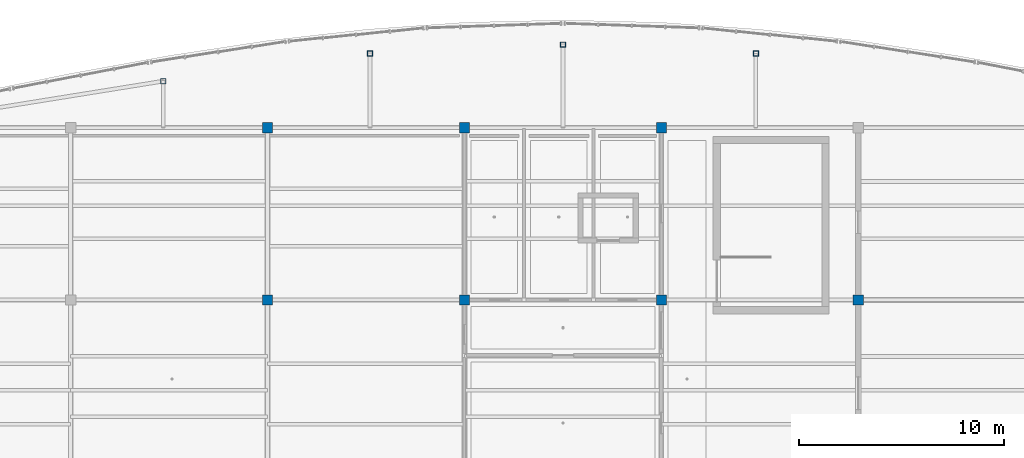
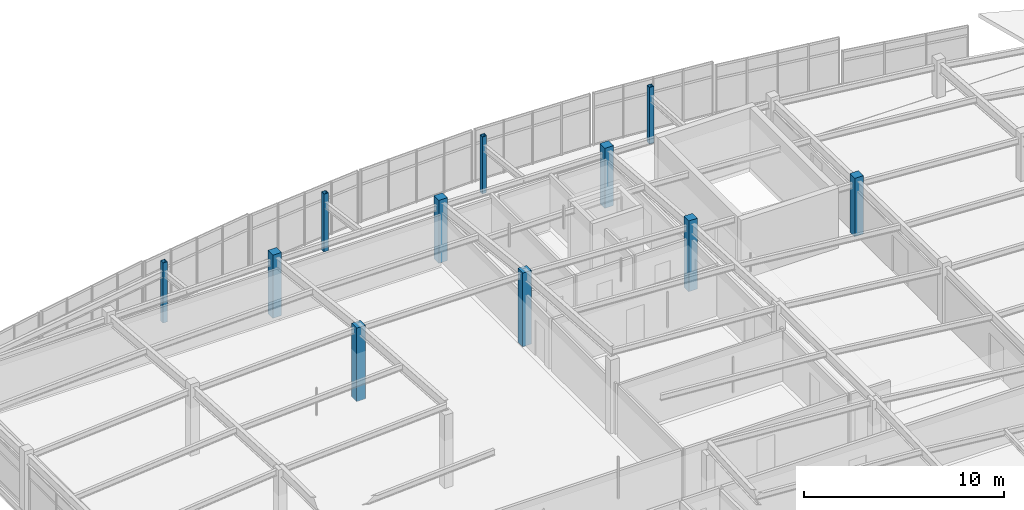
# One storey, part 8 of 65: 11 columns.
"""IFC4 building model written with IfcOpenShell, lengths in metres."""

from ifc_helpers import new_model, si_unit, direction, frame, origin, origin_2d, place, context, subcontext, project, spatial, rectangle, hollow_rectangle, extrude, material, material_profile, profile_set, type_object, element, save


model = new_model("IFC4")

# Units and contexts
model_context = context("Model", 3, precision=1e-05, world=origin(), true_north=direction((0.0, 1.0)))
body_context = subcontext(model_context, "Body", "Model", "MODEL_VIEW")
ifc_project = project(units=[si_unit("LENGTHUNIT", "METRE"), si_unit("AREAUNIT", "SQUARE_METRE"), si_unit("VOLUMEUNIT", "CUBIC_METRE"), si_unit("PLANEANGLEUNIT", "RADIAN"), si_unit("MASSUNIT", "GRAM", prefix="KILO")], contexts=[model_context])

# Site, building, storey
site_placement = place(None, origin())
site = spatial("IfcSite", under=ifc_project, at=site_placement, CompositionType="ELEMENT")
building_placement = place(site_placement, origin())
building = spatial("IfcBuilding", under=site, at=building_placement, Name="Chalmorin Arch Market", CompositionType="ELEMENT")
storey_placement = place(building_placement, frame((0.0, 0.0, 14.10009765625)))
storey = spatial("IfcBuildingStorey", under=building, at=storey_placement, Name="L03", CompositionType="ELEMENT", Elevation=14.10009765625)

# Columns
ifc_material_1 = material(Name="Steel A500 Grade C", Category="steel")
ifc_material_profile_1 = material_profile(ifc_material_1, hollow_rectangle(XDim=0.25390625, YDim=0.25390625, WallThickness=0.01171875, at=origin_2d()), Name="HSS10X10X1/2")
ifc_profile_set_1 = profile_set([ifc_material_profile_1], Name="Steel A500 Grade C")
column_type_1 = type_object("IfcColumnType", Name="SteelTubeColumn-HSS10X10", PredefinedType="COLUMN", material=ifc_profile_set_1)
column_1_placement = place(storey_placement, frame((62.112060546875, 120.26904296875, 0.0), z_axis=(0.0, 0.0, 1.0), x_axis=(1.0, 0.0, 0.0)))
element("IfcColumn", 1, at=column_1_placement, inside=storey, type_object=column_type_1, Name="C-HS2-707", PredefinedType="COLUMN", context=body_context, shape_type="SweptSolid", body=[
    extrude(hollow_rectangle(XDim=0.25390625, YDim=0.25390625, WallThickness=0.01171875, at=origin_2d()), origin(), (0.0, 0.0, 1.0), 3.679931640625),
])
column_2_placement = place(storey_placement, frame((72.19189453125, 121.612060546875, 0.0), z_axis=(0.0, 0.0, 1.0), x_axis=(1.0, 0.0, 0.0)))
element("IfcColumn", 2, at=column_2_placement, inside=storey, type_object=column_type_1, Name="C-HS2-715", PredefinedType="COLUMN", context=body_context, shape_type="SweptSolid", body=[
    extrude(hollow_rectangle(XDim=0.25390625, YDim=0.25390625, WallThickness=0.01171875, at=origin_2d()), origin(), (0.0, 0.0, 1.0), 3.5419921875),
])
column_3_placement = place(storey_placement, frame((81.60009765625, 122.050048828125, 0.0), z_axis=(0.0, 0.0, 1.0), x_axis=(1.0, 0.0, 0.0)))
element("IfcColumn", 3, at=column_3_placement, inside=storey, type_object=column_type_1, Name="C-HS2-723", PredefinedType="COLUMN", context=body_context, shape_type="SweptSolid", body=[
    extrude(hollow_rectangle(XDim=0.25390625, YDim=0.25390625, WallThickness=0.01171875, at=origin_2d()), origin(), (0.0, 0.0, 1.0), 3.471923828125),
])
column_4_placement = place(storey_placement, frame((91.008056640625, 121.612060546875, 0.0), z_axis=(0.0, 0.0, 1.0), x_axis=(1.0, 0.0, 0.0)))
element("IfcColumn", 4, at=column_4_placement, inside=storey, type_object=column_type_1, Name="C-HS2-731", PredefinedType="COLUMN", context=body_context, shape_type="SweptSolid", body=[
    extrude(hollow_rectangle(XDim=0.25390625, YDim=0.25390625, WallThickness=0.01171875, at=origin_2d()), origin(), (0.0, 0.0, 1.0), 3.469970703125),
])
ifc_material_2 = material(Name="Concrete C40/50", Category="concrete")
ifc_material_profile_2 = material_profile(ifc_material_2, rectangle(XDim=0.5, YDim=0.5, at=origin_2d()), Name="RC500X500")
ifc_profile_set_2 = profile_set([ifc_material_profile_2], Name="Concrete C40/50")
column_type_2 = type_object("IfcColumnType", Name="UpperConcreteColumn-500x500", PredefinedType="COLUMN", material=ifc_profile_set_2)
column_5_placement = place(storey_placement, frame((67.199951171875, 109.60009765625, 0.0), z_axis=(0.0, 0.0, 1.0), x_axis=(1.0, 0.0, 0.0)))
element("IfcColumn", 5, at=column_5_placement, inside=storey, type_object=column_type_2, Name="C-RC3-359", PredefinedType="COLUMN", context=body_context, shape_type="SweptSolid", body=[
    extrude(rectangle(XDim=0.5, YDim=0.5, at=origin_2d()), origin(), (0.0, 0.0, 1.0), 4.5),
])
column_6_placement = place(storey_placement, frame((67.199951171875, 118.0, 0.0), z_axis=(0.0, 0.0, 1.0), x_axis=(1.0, 0.0, 0.0)))
element("IfcColumn", 6, at=column_6_placement, inside=storey, type_object=column_type_2, Name="C-RC3-364", PredefinedType="COLUMN", context=body_context, shape_type="SweptSolid", body=[
    extrude(rectangle(XDim=0.5, YDim=0.5, at=origin_2d()), origin(), (0.0, 0.0, 1.0), 3.86083984375),
])
column_7_placement = place(storey_placement, frame((76.800048828125, 109.60009765625, 0.0), z_axis=(0.0, 0.0, 1.0), x_axis=(1.0, 0.0, 0.0)))
element("IfcColumn", 7, at=column_7_placement, inside=storey, type_object=column_type_2, Name="C-RC3-414", PredefinedType="COLUMN", context=body_context, shape_type="SweptSolid", body=[
    extrude(rectangle(XDim=0.5, YDim=0.5, at=origin_2d()), origin(), (0.0, 0.0, 1.0), 4.5),
])
column_8_placement = place(storey_placement, frame((76.800048828125, 118.0, 0.0), z_axis=(0.0, 0.0, 1.0), x_axis=(1.0, 0.0, 0.0)))
element("IfcColumn", 8, at=column_8_placement, inside=storey, type_object=column_type_2, Name="C-RC3-419", PredefinedType="COLUMN", context=body_context, shape_type="SweptSolid", body=[
    extrude(rectangle(XDim=0.5, YDim=0.5, at=origin_2d()), origin(), (0.0, 0.0, 1.0), 3.850830078125),
])
column_9_placement = place(storey_placement, frame((86.39990234375, 109.60009765625, 0.0), z_axis=(0.0, 0.0, 1.0), x_axis=(1.0, 0.0, 0.0)))
element("IfcColumn", 9, at=column_9_placement, inside=storey, type_object=column_type_2, Name="C-RC3-469", PredefinedType="COLUMN", context=body_context, shape_type="SweptSolid", body=[
    extrude(rectangle(XDim=0.5, YDim=0.5, at=origin_2d()), origin(), (0.0, 0.0, 1.0), 4.325927734375),
])
column_10_placement = place(storey_placement, frame((86.39990234375, 118.0, 0.0), z_axis=(0.0, 0.0, 1.0), x_axis=(1.0, 0.0, 0.0)))
element("IfcColumn", 10, at=column_10_placement, inside=storey, type_object=column_type_2, Name="C-RC3-474", PredefinedType="COLUMN", context=body_context, shape_type="SweptSolid", body=[
    extrude(rectangle(XDim=0.5, YDim=0.5, at=origin_2d()), origin(), (0.0, 0.0, 1.0), 3.6748046875),
])
column_11_placement = place(storey_placement, frame((96.0, 109.60009765625, 0.0), z_axis=(0.0, 0.0, 1.0), x_axis=(1.0, 0.0, 0.0)))
element("IfcColumn", 11, at=column_11_placement, inside=storey, type_object=column_type_2, Name="C-RC3-524", PredefinedType="COLUMN", context=body_context, shape_type="SweptSolid", body=[
    extrude(rectangle(XDim=0.5, YDim=0.5, at=origin_2d()), origin(), (0.0, 0.0, 1.0), 3.56982421875),
])

save(model, "model.ifc")
